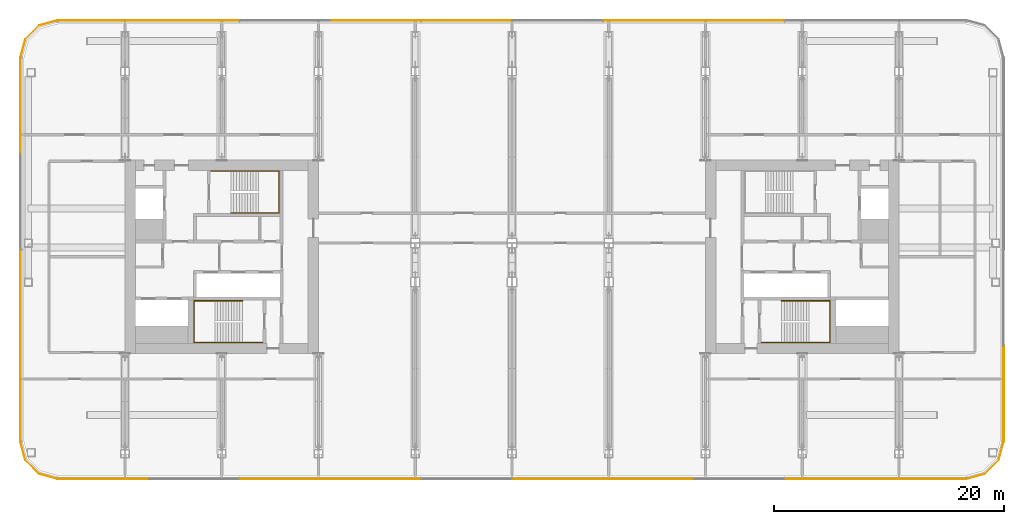
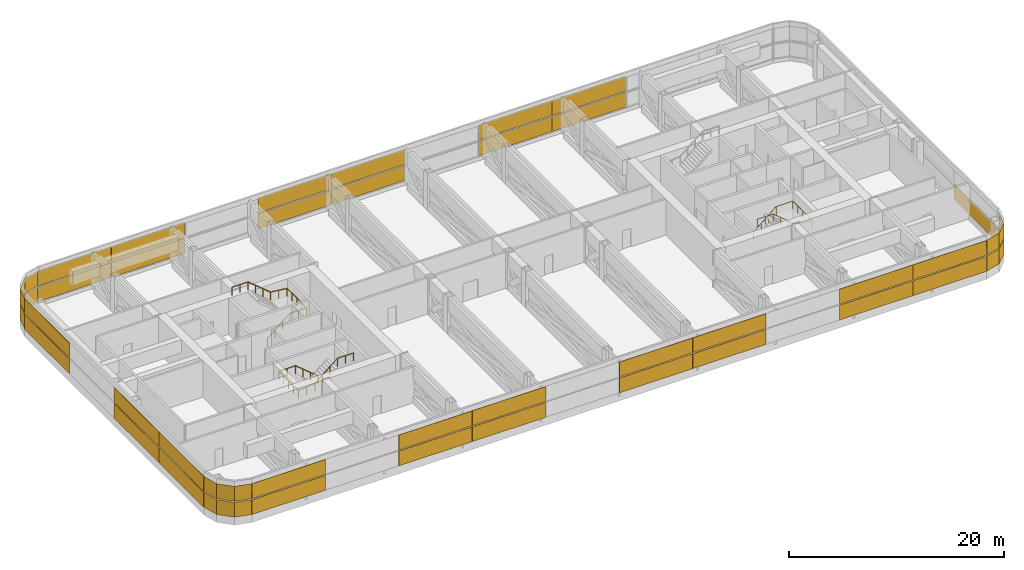
# One storey, part 32 of 33: 39 shading devices, 3 railings, 7 elements without a shape of their own.
"""IFC4 building model written with IfcOpenShell, lengths in metres."""

from ifc_helpers import new_model, si_unit, direction, frame, origin, origin_2d, place, context, subcontext, project, spatial, polyline, rectangle, circle, outline, extrude, material, layer, layer_set, type_object, element, aggregate, save


model = new_model("IFC4")

# Units and contexts
model_context = context("Model", 3, precision=1e-05, world=origin(), true_north=direction((0.0, 1.0)))
body_context = subcontext(model_context, "Body", "Model", "MODEL_VIEW")
ifc_project = project(units=[si_unit("LENGTHUNIT", "METRE"), si_unit("AREAUNIT", "SQUARE_METRE"), si_unit("VOLUMEUNIT", "CUBIC_METRE"), si_unit("PLANEANGLEUNIT", "RADIAN"), si_unit("MASSUNIT", "GRAM", prefix="KILO")], contexts=[model_context])

# Site, building, storey
site_placement = place(None, origin())
site = spatial("IfcSite", under=ifc_project, at=site_placement, CompositionType="ELEMENT")
building_placement = place(site_placement, origin())
building = spatial("IfcBuilding", under=site, at=building_placement, Name="Hakoniwa Tower and Hamabe Station Hall", CompositionType="ELEMENT")
storey_placement = place(building_placement, frame((0.0, 0.0, 175.800048828125)))
storey = spatial("IfcBuildingStorey", under=building, at=storey_placement, Name="L50", CompositionType="ELEMENT", Elevation=175.800048828125)

# Curtain wall, shading device
ifc_material_1 = material(Name="Dark low-e laminated glass", Category="glass")
ifc_layer_1 = layer(ifc_material_1, 0.199951171875)
ifc_layer_set_1 = layer_set([ifc_layer_1], Name="CW-6 PLANT LOUVRE")
curtain_wall_type = type_object("IfcCurtainWallType", Name="CW-6 PLANT LOUVRE", PredefinedType="NOTDEFINED", material=ifc_layer_set_1)
curtain_wall_1_placement = place(storey_placement, origin())
curtain_wall_1 = element("IfcCurtainWall", 1, at=curtain_wall_1_placement, inside=storey, type_object=curtain_wall_type, Name="CW-6 curtain wall", PredefinedType="NOTDEFINED")
ifc_material_2 = material(Name="Aluminium 6063-T5 black anodised louvre", Category="aluminium")
ifc_layer_2 = layer(ifc_material_2, 0.06005859375)
ifc_layer_set_2 = layer_set([ifc_layer_2], Name="CW-6 LOUVRE UNIT")
shading_device_type = type_object("IfcShadingDeviceType", Name="CW-6 LOUVRE UNIT", PredefinedType="JALOUSIE", material=ifc_layer_set_2)
shading_device_1_placement = place(storey_placement, frame((42.68603515625, -11.873291015625, 0.35009765625), z_axis=(0.0, 0.0, 1.0), x_axis=(0.0, 1.0, 0.0)))
shading_device_1 = element("IfcShadingDevice", 2, at=shading_device_1_placement, type_object=shading_device_type, Name="CW-6 louvre unit", PredefinedType="JALOUSIE", context=body_context, shape_type="SweptSolid", body=[
    extrude(rectangle(XDim=8.312255859375, YDim=0.06005859375, at=origin_2d()), origin(), (0.0, 0.0, 1.0), 1.68994140625),
])
aggregate(curtain_wall_1, [shading_device_1])

# Curtain wall, shading devices
curtain_wall_2_placement = place(storey_placement, origin())
curtain_wall_2 = element("IfcCurtainWall", 3, at=curtain_wall_2_placement, inside=storey, type_object=curtain_wall_type, Name="CW-6 curtain wall", PredefinedType="NOTDEFINED")
shading_device_2_placement = place(storey_placement, frame((19.7197265625, 20.535888671875, 0.35009765625), z_axis=(0.0, 0.0, 1.0), x_axis=(-1.0, 0.0, 0.0)))
shading_device_2 = element("IfcShadingDevice", 4, at=shading_device_2_placement, type_object=shading_device_type, Name="CW-6 louvre unit", PredefinedType="JALOUSIE", context=body_context, shape_type="SweptSolid", body=[
    extrude(rectangle(XDim=7.867919921875, YDim=0.06005859375, at=origin_2d()), origin(), (0.0, 0.0, 1.0), 1.68994140625),
])
shading_device_3_placement = place(storey_placement, frame((19.7197265625, 20.535888671875, 2.159912109375), z_axis=(0.0, 0.0, 1.0), x_axis=(-1.0, 0.0, 0.0)))
shading_device_3 = element("IfcShadingDevice", 5, at=shading_device_3_placement, type_object=shading_device_type, Name="CW-6 louvre unit", PredefinedType="JALOUSIE", context=body_context, shape_type="SweptSolid", body=[
    extrude(rectangle(XDim=7.867919921875, YDim=0.06005859375, at=origin_2d()), origin(), (0.0, 0.0, 1.0), 1.68994140625),
])
shading_device_4_placement = place(storey_placement, frame((11.831787109375, 20.535888671875, 0.35009765625), z_axis=(0.0, 0.0, 1.0), x_axis=(-1.0, 0.0, 0.0)))
shading_device_4 = element("IfcShadingDevice", 6, at=shading_device_4_placement, type_object=shading_device_type, Name="CW-6 louvre unit", PredefinedType="JALOUSIE", context=body_context, shape_type="SweptSolid", body=[
    extrude(rectangle(XDim=7.867919921875, YDim=0.06005859375, at=origin_2d()), origin(), (0.0, 0.0, 1.0), 1.68994140625),
])
shading_device_5_placement = place(storey_placement, frame((11.831787109375, 20.535888671875, 2.159912109375), z_axis=(0.0, 0.0, 1.0), x_axis=(-1.0, 0.0, 0.0)))
shading_device_5 = element("IfcShadingDevice", 7, at=shading_device_5_placement, type_object=shading_device_type, Name="CW-6 louvre unit", PredefinedType="JALOUSIE", context=body_context, shape_type="SweptSolid", body=[
    extrude(rectangle(XDim=7.867919921875, YDim=0.06005859375, at=origin_2d()), origin(), (0.0, 0.0, 1.0), 1.68994140625),
])
shading_device_6_placement = place(storey_placement, frame((-3.94384765625, 20.535888671875, 0.35009765625), z_axis=(0.0, 0.0, 1.0), x_axis=(-1.0, 0.0, 0.0)))
shading_device_6 = element("IfcShadingDevice", 8, at=shading_device_6_placement, type_object=shading_device_type, Name="CW-6 louvre unit", PredefinedType="JALOUSIE", context=body_context, shape_type="SweptSolid", body=[
    extrude(rectangle(XDim=7.867919921875, YDim=0.06005859375, at=origin_2d()), origin(), (0.0, 0.0, 1.0), 1.68994140625),
])
shading_device_7_placement = place(storey_placement, frame((-3.94384765625, 20.535888671875, 2.159912109375), z_axis=(0.0, 0.0, 1.0), x_axis=(-1.0, 0.0, 0.0)))
shading_device_7 = element("IfcShadingDevice", 9, at=shading_device_7_placement, type_object=shading_device_type, Name="CW-6 louvre unit", PredefinedType="JALOUSIE", context=body_context, shape_type="SweptSolid", body=[
    extrude(rectangle(XDim=7.867919921875, YDim=0.06005859375, at=origin_2d()), origin(), (0.0, 0.0, 1.0), 1.68994140625),
])
shading_device_8_placement = place(storey_placement, frame((-11.831787109375, 20.535888671875, 0.35009765625), z_axis=(0.0, 0.0, 1.0), x_axis=(-1.0, 0.0, 0.0)))
shading_device_8 = element("IfcShadingDevice", 10, at=shading_device_8_placement, type_object=shading_device_type, Name="CW-6 louvre unit", PredefinedType="JALOUSIE", context=body_context, shape_type="SweptSolid", body=[
    extrude(rectangle(XDim=7.867919921875, YDim=0.06005859375, at=origin_2d()), origin(), (0.0, 0.0, 1.0), 1.68994140625),
])
shading_device_9_placement = place(storey_placement, frame((-11.831787109375, 20.535888671875, 2.159912109375), z_axis=(0.0, 0.0, 1.0), x_axis=(-1.0, 0.0, 0.0)))
shading_device_9 = element("IfcShadingDevice", 11, at=shading_device_9_placement, type_object=shading_device_type, Name="CW-6 louvre unit", PredefinedType="JALOUSIE", context=body_context, shape_type="SweptSolid", body=[
    extrude(rectangle(XDim=7.867919921875, YDim=0.06005859375, at=origin_2d()), origin(), (0.0, 0.0, 1.0), 1.68994140625),
])
shading_device_10_placement = place(storey_placement, frame((-27.607666015625, 20.535888671875, 0.35009765625), z_axis=(0.0, 0.0, 1.0), x_axis=(-1.0, 0.0, 0.0)))
shading_device_10 = element("IfcShadingDevice", 12, at=shading_device_10_placement, type_object=shading_device_type, Name="CW-6 louvre unit", PredefinedType="JALOUSIE", context=body_context, shape_type="SweptSolid", body=[
    extrude(rectangle(XDim=7.867919921875, YDim=0.06005859375, at=origin_2d()), origin(), (0.0, 0.0, 1.0), 1.68994140625),
])
shading_device_11_placement = place(storey_placement, frame((-27.607666015625, 20.535888671875, 2.159912109375), z_axis=(0.0, 0.0, 1.0), x_axis=(-1.0, 0.0, 0.0)))
shading_device_11 = element("IfcShadingDevice", 13, at=shading_device_11_placement, type_object=shading_device_type, Name="CW-6 louvre unit", PredefinedType="JALOUSIE", context=body_context, shape_type="SweptSolid", body=[
    extrude(rectangle(XDim=7.867919921875, YDim=0.06005859375, at=origin_2d()), origin(), (0.0, 0.0, 1.0), 1.68994140625),
])
shading_device_12_placement = place(storey_placement, frame((-35.49560546875, 20.535888671875, 0.35009765625), z_axis=(0.0, 0.0, 1.0), x_axis=(-1.0, 0.0, 0.0)))
shading_device_12 = element("IfcShadingDevice", 14, at=shading_device_12_placement, type_object=shading_device_type, Name="CW-6 louvre unit", PredefinedType="JALOUSIE", context=body_context, shape_type="SweptSolid", body=[
    extrude(rectangle(XDim=7.867919921875, YDim=0.06005859375, at=origin_2d()), origin(), (0.0, 0.0, 1.0), 1.68994140625),
])
shading_device_13_placement = place(storey_placement, frame((-35.49560546875, 20.535888671875, 2.159912109375), z_axis=(0.0, 0.0, 1.0), x_axis=(-1.0, 0.0, 0.0)))
shading_device_13 = element("IfcShadingDevice", 15, at=shading_device_13_placement, type_object=shading_device_type, Name="CW-6 louvre unit", PredefinedType="JALOUSIE", context=body_context, shape_type="SweptSolid", body=[
    extrude(rectangle(XDim=7.867919921875, YDim=0.06005859375, at=origin_2d()), origin(), (0.0, 0.0, 1.0), 1.68994140625),
])
aggregate(curtain_wall_2, [shading_device_2, shading_device_3, shading_device_4, shading_device_5, shading_device_6, shading_device_7, shading_device_8, shading_device_9, shading_device_10, shading_device_11, shading_device_12, shading_device_13])

curtain_wall_3_placement = place(storey_placement, origin())
curtain_wall_3 = element("IfcCurtainWall", 16, at=curtain_wall_3_placement, inside=storey, type_object=curtain_wall_type, Name="CW-6 curtain wall", PredefinedType="NOTDEFINED")
shading_device_14_placement = place(storey_placement, frame((0.0, 0.0, 0.349853515625)))
shading_device_14 = element("IfcShadingDevice", 17, at=shading_device_14_placement, type_object=shading_device_type, Name="CW-6 curved corner unit", PredefinedType="JALOUSIE", context=body_context, shape_type="SweptSolid", body=[
    extrude(outline(polyline([(-39.47802734375, 20.53955078125), (-41.05517578125, 20.116943359375), (-42.26708984375, 18.9052734375), (-42.689697265625, 17.328125), (-42.66259765625, 17.32080078125), (-42.241943359375, 18.890869140625), (-41.040771484375, 20.092041015625), (-39.470947265625, 20.5126953125), (-39.47802734375, 20.53955078125)])), origin(), (0.0, 0.0, 1.0), 1.690185546875),
])
shading_device_15_placement = place(storey_placement, frame((0.0, 0.0, 2.159912109375)))
shading_device_15 = element("IfcShadingDevice", 18, at=shading_device_15_placement, type_object=shading_device_type, Name="CW-6 curved corner unit", PredefinedType="JALOUSIE", context=body_context, shape_type="SweptSolid", body=[
    extrude(outline(polyline([(-39.47802734375, 20.53955078125), (-41.05517578125, 20.116943359375), (-42.26708984375, 18.9052734375), (-42.689697265625, 17.328125), (-42.66259765625, 17.32080078125), (-42.241943359375, 18.890869140625), (-41.040771484375, 20.092041015625), (-39.470947265625, 20.5126953125), (-39.47802734375, 20.53955078125)])), origin(), (0.0, 0.0, 1.0), 1.68994140625),
])
aggregate(curtain_wall_3, [shading_device_14, shading_device_15])

curtain_wall_4_placement = place(storey_placement, origin())
curtain_wall_4 = element("IfcCurtainWall", 19, at=curtain_wall_4_placement, inside=storey, type_object=curtain_wall_type, Name="CW-6 curtain wall", PredefinedType="NOTDEFINED")
shading_device_16_placement = place(storey_placement, frame((-42.68603515625, 13.123291015625, 0.35009765625), z_axis=(0.0, 0.0, 1.0), x_axis=(0.0, -1.0, 0.0)))
shading_device_16 = element("IfcShadingDevice", 20, at=shading_device_16_placement, type_object=shading_device_type, Name="CW-6 louvre unit", PredefinedType="JALOUSIE", context=body_context, shape_type="SweptSolid", body=[
    extrude(rectangle(XDim=8.312255859375, YDim=0.06005859375, at=origin_2d()), origin(), (0.0, 0.0, 1.0), 1.68994140625),
])
shading_device_17_placement = place(storey_placement, frame((-42.68603515625, 13.123291015625, 2.159912109375), z_axis=(0.0, 0.0, 1.0), x_axis=(0.0, -1.0, 0.0)))
shading_device_17 = element("IfcShadingDevice", 21, at=shading_device_17_placement, type_object=shading_device_type, Name="CW-6 louvre unit", PredefinedType="JALOUSIE", context=body_context, shape_type="SweptSolid", body=[
    extrude(rectangle(XDim=8.312255859375, YDim=0.06005859375, at=origin_2d()), origin(), (0.0, 0.0, 1.0), 1.68994140625),
])
shading_device_18_placement = place(storey_placement, frame((-42.68603515625, -3.541015625, 0.35009765625), z_axis=(0.0, 0.0, 1.0), x_axis=(0.0, -1.0, 0.0)))
shading_device_18 = element("IfcShadingDevice", 22, at=shading_device_18_placement, type_object=shading_device_type, Name="CW-6 louvre unit", PredefinedType="JALOUSIE", context=body_context, shape_type="SweptSolid", body=[
    extrude(rectangle(XDim=8.312255859375, YDim=0.06005859375, at=origin_2d()), origin(), (0.0, 0.0, 1.0), 1.68994140625),
])
shading_device_19_placement = place(storey_placement, frame((-42.68603515625, -3.541015625, 2.159912109375), z_axis=(0.0, 0.0, 1.0), x_axis=(0.0, -1.0, 0.0)))
shading_device_19 = element("IfcShadingDevice", 23, at=shading_device_19_placement, type_object=shading_device_type, Name="CW-6 louvre unit", PredefinedType="JALOUSIE", context=body_context, shape_type="SweptSolid", body=[
    extrude(rectangle(XDim=8.312255859375, YDim=0.06005859375, at=origin_2d()), origin(), (0.0, 0.0, 1.0), 1.68994140625),
])
shading_device_20_placement = place(storey_placement, frame((-42.68603515625, -11.873291015625, 0.35009765625), z_axis=(0.0, 0.0, 1.0), x_axis=(0.0, -1.0, 0.0)))
shading_device_20 = element("IfcShadingDevice", 24, at=shading_device_20_placement, type_object=shading_device_type, Name="CW-6 louvre unit", PredefinedType="JALOUSIE", context=body_context, shape_type="SweptSolid", body=[
    extrude(rectangle(XDim=8.312255859375, YDim=0.06005859375, at=origin_2d()), origin(), (0.0, 0.0, 1.0), 1.68994140625),
])
shading_device_21_placement = place(storey_placement, frame((-42.68603515625, -11.873291015625, 2.159912109375), z_axis=(0.0, 0.0, 1.0), x_axis=(0.0, -1.0, 0.0)))
shading_device_21 = element("IfcShadingDevice", 25, at=shading_device_21_placement, type_object=shading_device_type, Name="CW-6 louvre unit", PredefinedType="JALOUSIE", context=body_context, shape_type="SweptSolid", body=[
    extrude(rectangle(XDim=8.312255859375, YDim=0.06005859375, at=origin_2d()), origin(), (0.0, 0.0, 1.0), 1.68994140625),
])
aggregate(curtain_wall_4, [shading_device_16, shading_device_17, shading_device_18, shading_device_19, shading_device_20, shading_device_21])

curtain_wall_5_placement = place(storey_placement, origin())
curtain_wall_5 = element("IfcCurtainWall", 26, at=curtain_wall_5_placement, inside=storey, type_object=curtain_wall_type, Name="CW-6 curtain wall", PredefinedType="NOTDEFINED")
shading_device_22_placement = place(storey_placement, frame((0.0, 0.0, 0.349853515625)))
shading_device_22 = element("IfcShadingDevice", 27, at=shading_device_22_placement, type_object=shading_device_type, Name="CW-6 curved corner unit", PredefinedType="JALOUSIE", context=body_context, shape_type="SweptSolid", body=[
    extrude(outline(polyline([(-42.689697265625, -16.078125), (-42.26708984375, -17.6552734375), (-41.05517578125, -18.866943359375), (-39.47802734375, -19.28955078125), (-39.470947265625, -19.2626953125), (-41.040771484375, -18.842041015625), (-42.241943359375, -17.640869140625), (-42.66259765625, -16.07080078125), (-42.689697265625, -16.078125)])), origin(), (0.0, 0.0, 1.0), 1.690185546875),
])
shading_device_23_placement = place(storey_placement, frame((0.0, 0.0, 2.159912109375)))
shading_device_23 = element("IfcShadingDevice", 28, at=shading_device_23_placement, type_object=shading_device_type, Name="CW-6 curved corner unit", PredefinedType="JALOUSIE", context=body_context, shape_type="SweptSolid", body=[
    extrude(outline(polyline([(-42.689697265625, -16.078125), (-42.26708984375, -17.6552734375), (-41.05517578125, -18.866943359375), (-39.47802734375, -19.28955078125), (-39.470947265625, -19.2626953125), (-41.040771484375, -18.842041015625), (-42.241943359375, -17.640869140625), (-42.66259765625, -16.07080078125), (-42.689697265625, -16.078125)])), origin(), (0.0, 0.0, 1.0), 1.68994140625),
])
aggregate(curtain_wall_5, [shading_device_22, shading_device_23])

curtain_wall_6_placement = place(storey_placement, origin())
curtain_wall_6 = element("IfcCurtainWall", 29, at=curtain_wall_6_placement, inside=storey, type_object=curtain_wall_type, Name="CW-6 curtain wall", PredefinedType="NOTDEFINED")
shading_device_24_placement = place(storey_placement, frame((-35.49560546875, -19.285888671875, 0.35009765625), z_axis=(0.0, 0.0, 1.0), x_axis=(1.0, 0.0, 0.0)))
shading_device_24 = element("IfcShadingDevice", 30, at=shading_device_24_placement, type_object=shading_device_type, Name="CW-6 louvre unit", PredefinedType="JALOUSIE", context=body_context, shape_type="SweptSolid", body=[
    extrude(rectangle(XDim=7.867919921875, YDim=0.06005859375, at=origin_2d()), origin(), (0.0, 0.0, 1.0), 1.68994140625),
])
shading_device_25_placement = place(storey_placement, frame((-35.49560546875, -19.285888671875, 2.159912109375), z_axis=(0.0, 0.0, 1.0), x_axis=(1.0, 0.0, 0.0)))
shading_device_25 = element("IfcShadingDevice", 31, at=shading_device_25_placement, type_object=shading_device_type, Name="CW-6 louvre unit", PredefinedType="JALOUSIE", context=body_context, shape_type="SweptSolid", body=[
    extrude(rectangle(XDim=7.867919921875, YDim=0.06005859375, at=origin_2d()), origin(), (0.0, 0.0, 1.0), 1.68994140625),
])
shading_device_26_placement = place(storey_placement, frame((-19.7197265625, -19.285888671875, 0.35009765625), z_axis=(0.0, 0.0, 1.0), x_axis=(1.0, 0.0, 0.0)))
shading_device_26 = element("IfcShadingDevice", 32, at=shading_device_26_placement, type_object=shading_device_type, Name="CW-6 louvre unit", PredefinedType="JALOUSIE", context=body_context, shape_type="SweptSolid", body=[
    extrude(rectangle(XDim=7.867919921875, YDim=0.06005859375, at=origin_2d()), origin(), (0.0, 0.0, 1.0), 1.68994140625),
])
shading_device_27_placement = place(storey_placement, frame((-19.7197265625, -19.285888671875, 2.159912109375), z_axis=(0.0, 0.0, 1.0), x_axis=(1.0, 0.0, 0.0)))
shading_device_27 = element("IfcShadingDevice", 33, at=shading_device_27_placement, type_object=shading_device_type, Name="CW-6 louvre unit", PredefinedType="JALOUSIE", context=body_context, shape_type="SweptSolid", body=[
    extrude(rectangle(XDim=7.867919921875, YDim=0.06005859375, at=origin_2d()), origin(), (0.0, 0.0, 1.0), 1.68994140625),
])
shading_device_28_placement = place(storey_placement, frame((-11.831787109375, -19.285888671875, 0.35009765625), z_axis=(0.0, 0.0, 1.0), x_axis=(1.0, 0.0, 0.0)))
shading_device_28 = element("IfcShadingDevice", 34, at=shading_device_28_placement, type_object=shading_device_type, Name="CW-6 louvre unit", PredefinedType="JALOUSIE", context=body_context, shape_type="SweptSolid", body=[
    extrude(rectangle(XDim=7.867919921875, YDim=0.06005859375, at=origin_2d()), origin(), (0.0, 0.0, 1.0), 1.68994140625),
])
shading_device_29_placement = place(storey_placement, frame((-11.831787109375, -19.285888671875, 2.159912109375), z_axis=(0.0, 0.0, 1.0), x_axis=(1.0, 0.0, 0.0)))
shading_device_29 = element("IfcShadingDevice", 35, at=shading_device_29_placement, type_object=shading_device_type, Name="CW-6 louvre unit", PredefinedType="JALOUSIE", context=body_context, shape_type="SweptSolid", body=[
    extrude(rectangle(XDim=7.867919921875, YDim=0.06005859375, at=origin_2d()), origin(), (0.0, 0.0, 1.0), 1.68994140625),
])
shading_device_30_placement = place(storey_placement, frame((3.94384765625, -19.285888671875, 0.35009765625), z_axis=(0.0, 0.0, 1.0), x_axis=(1.0, 0.0, 0.0)))
shading_device_30 = element("IfcShadingDevice", 36, at=shading_device_30_placement, type_object=shading_device_type, Name="CW-6 louvre unit", PredefinedType="JALOUSIE", context=body_context, shape_type="SweptSolid", body=[
    extrude(rectangle(XDim=7.867919921875, YDim=0.06005859375, at=origin_2d()), origin(), (0.0, 0.0, 1.0), 1.68994140625),
])
shading_device_31_placement = place(storey_placement, frame((3.94384765625, -19.285888671875, 2.159912109375), z_axis=(0.0, 0.0, 1.0), x_axis=(1.0, 0.0, 0.0)))
shading_device_31 = element("IfcShadingDevice", 37, at=shading_device_31_placement, type_object=shading_device_type, Name="CW-6 louvre unit", PredefinedType="JALOUSIE", context=body_context, shape_type="SweptSolid", body=[
    extrude(rectangle(XDim=7.867919921875, YDim=0.06005859375, at=origin_2d()), origin(), (0.0, 0.0, 1.0), 1.68994140625),
])
shading_device_32_placement = place(storey_placement, frame((11.831787109375, -19.285888671875, 0.35009765625), z_axis=(0.0, 0.0, 1.0), x_axis=(1.0, 0.0, 0.0)))
shading_device_32 = element("IfcShadingDevice", 38, at=shading_device_32_placement, type_object=shading_device_type, Name="CW-6 louvre unit", PredefinedType="JALOUSIE", context=body_context, shape_type="SweptSolid", body=[
    extrude(rectangle(XDim=7.867919921875, YDim=0.06005859375, at=origin_2d()), origin(), (0.0, 0.0, 1.0), 1.68994140625),
])
shading_device_33_placement = place(storey_placement, frame((11.831787109375, -19.285888671875, 2.159912109375), z_axis=(0.0, 0.0, 1.0), x_axis=(1.0, 0.0, 0.0)))
shading_device_33 = element("IfcShadingDevice", 39, at=shading_device_33_placement, type_object=shading_device_type, Name="CW-6 louvre unit", PredefinedType="JALOUSIE", context=body_context, shape_type="SweptSolid", body=[
    extrude(rectangle(XDim=7.867919921875, YDim=0.06005859375, at=origin_2d()), origin(), (0.0, 0.0, 1.0), 1.68994140625),
])
shading_device_34_placement = place(storey_placement, frame((27.607666015625, -19.285888671875, 0.35009765625), z_axis=(0.0, 0.0, 1.0), x_axis=(1.0, 0.0, 0.0)))
shading_device_34 = element("IfcShadingDevice", 40, at=shading_device_34_placement, type_object=shading_device_type, Name="CW-6 louvre unit", PredefinedType="JALOUSIE", context=body_context, shape_type="SweptSolid", body=[
    extrude(rectangle(XDim=7.867919921875, YDim=0.06005859375, at=origin_2d()), origin(), (0.0, 0.0, 1.0), 1.68994140625),
])
shading_device_35_placement = place(storey_placement, frame((27.607666015625, -19.285888671875, 2.159912109375), z_axis=(0.0, 0.0, 1.0), x_axis=(1.0, 0.0, 0.0)))
shading_device_35 = element("IfcShadingDevice", 41, at=shading_device_35_placement, type_object=shading_device_type, Name="CW-6 louvre unit", PredefinedType="JALOUSIE", context=body_context, shape_type="SweptSolid", body=[
    extrude(rectangle(XDim=7.867919921875, YDim=0.06005859375, at=origin_2d()), origin(), (0.0, 0.0, 1.0), 1.68994140625),
])
shading_device_36_placement = place(storey_placement, frame((35.49560546875, -19.285888671875, 0.35009765625), z_axis=(0.0, 0.0, 1.0), x_axis=(1.0, 0.0, 0.0)))
shading_device_36 = element("IfcShadingDevice", 42, at=shading_device_36_placement, type_object=shading_device_type, Name="CW-6 louvre unit", PredefinedType="JALOUSIE", context=body_context, shape_type="SweptSolid", body=[
    extrude(rectangle(XDim=7.867919921875, YDim=0.06005859375, at=origin_2d()), origin(), (0.0, 0.0, 1.0), 1.68994140625),
])
shading_device_37_placement = place(storey_placement, frame((35.49560546875, -19.285888671875, 2.159912109375), z_axis=(0.0, 0.0, 1.0), x_axis=(1.0, 0.0, 0.0)))
shading_device_37 = element("IfcShadingDevice", 43, at=shading_device_37_placement, type_object=shading_device_type, Name="CW-6 louvre unit", PredefinedType="JALOUSIE", context=body_context, shape_type="SweptSolid", body=[
    extrude(rectangle(XDim=7.867919921875, YDim=0.06005859375, at=origin_2d()), origin(), (0.0, 0.0, 1.0), 1.68994140625),
])
aggregate(curtain_wall_6, [shading_device_24, shading_device_25, shading_device_26, shading_device_27, shading_device_28, shading_device_29, shading_device_30, shading_device_31, shading_device_32, shading_device_33, shading_device_34, shading_device_35, shading_device_36, shading_device_37])

curtain_wall_7_placement = place(storey_placement, origin())
curtain_wall_7 = element("IfcCurtainWall", 44, at=curtain_wall_7_placement, inside=storey, type_object=curtain_wall_type, Name="CW-6 curtain wall", PredefinedType="NOTDEFINED")
shading_device_38_placement = place(storey_placement, frame((0.0, 0.0, 0.349853515625)))
shading_device_38 = element("IfcShadingDevice", 45, at=shading_device_38_placement, type_object=shading_device_type, Name="CW-6 curved corner unit", PredefinedType="JALOUSIE", context=body_context, shape_type="SweptSolid", body=[
    extrude(outline(polyline([(39.47802734375, -19.28955078125), (41.05517578125, -18.866943359375), (42.26708984375, -17.6552734375), (42.689697265625, -16.078125), (42.66259765625, -16.07080078125), (42.241943359375, -17.640869140625), (41.040771484375, -18.842041015625), (39.470947265625, -19.2626953125), (39.47802734375, -19.28955078125)])), origin(), (0.0, 0.0, 1.0), 1.690185546875),
])
shading_device_39_placement = place(storey_placement, frame((0.0, 0.0, 2.159912109375)))
shading_device_39 = element("IfcShadingDevice", 46, at=shading_device_39_placement, type_object=shading_device_type, Name="CW-6 curved corner unit", PredefinedType="JALOUSIE", context=body_context, shape_type="SweptSolid", body=[
    extrude(outline(polyline([(39.47802734375, -19.28955078125), (41.05517578125, -18.866943359375), (42.26708984375, -17.6552734375), (42.689697265625, -16.078125), (42.66259765625, -16.07080078125), (42.241943359375, -17.640869140625), (41.040771484375, -18.842041015625), (39.470947265625, -19.2626953125), (39.47802734375, -19.28955078125)])), origin(), (0.0, 0.0, 1.0), 1.68994140625),
])
aggregate(curtain_wall_7, [shading_device_38, shading_device_39])

# Railings
ifc_material_3 = material(Name="Stainless steel SUS304", Category="steel")
railing_type = type_object("IfcRailingType", Name="STAIR HANDRAIL 900", PredefinedType="HANDRAIL", material=ifc_material_3)
railing_1_placement = place(storey_placement, frame((-24.39990234375, 3.81005859375, 0.199951171875)))
element("IfcRailing", 47, at=railing_1_placement, inside=storey, type_object=railing_type, Name="Handrail ST-1 L50 1", PredefinedType="HANDRAIL", context=body_context, shape_type="SweptSolid", body=[
    extrude(circle(Radius=0.02392578125, at=origin_2d()), frame((0.0, 0.0, 0.8759765625), z_axis=(0.768208468069, 0.0, 0.640199773186), x_axis=(0.0, 1.0, 0.0)), (0.0, 0.0, 1.0), 3.1240234375),
    extrude(circle(Radius=0.02392578125, at=origin_2d()), frame((2.39990234375, 0.0, 2.8759765625), z_axis=(1.0, 0.0, 0.0), x_axis=(0.0, 1.0, 0.0)), (0.0, 0.0, 1.0), 1.7900390625),
    extrude(circle(Radius=0.02392578125, at=origin_2d()), frame((4.18994140625, 0.0, 2.8759765625), z_axis=(0.0, 1.0, 0.0), x_axis=(-1.0, 0.0, 0.0)), (0.0, 0.0, 1.0), 3.6298828125),
    extrude(circle(Radius=0.02392578125, at=origin_2d()), frame((4.18994140625, 3.6298828125, 2.8759765625), z_axis=(-0.993819098592, 0.0, 0.111011707821), x_axis=(0.0, -1.0, 0.0)), (0.0, 0.0, 1.0), 1.80126953125),
    extrude(circle(Radius=0.02392578125, at=origin_2d()), frame((2.39990234375, 3.6298828125, 3.07568359375), z_axis=(-0.768208468069, 0.0, 0.640199773186), x_axis=(0.0, -1.0, 0.0)), (0.0, 0.0, 1.0), 3.1240234375),
    extrude(circle(Radius=0.02392578125, at=origin_2d()), frame((0.0, 3.6298828125, 5.07568359375), z_axis=(-1.0, 0.0, 0.0), x_axis=(0.0, -1.0, 0.0)), (0.0, 0.0, 1.0), 1.739990234375),
    extrude(circle(Radius=0.02099609375, at=origin_2d()), origin(), (0.0, 0.0, 1.0), 0.851806640625),
    extrude(circle(Radius=0.02099609375, at=origin_2d()), frame((0.800048828125, 0.0, 0.666748046875)), (0.0, 0.0, 1.0), 0.851806640625),
    extrude(circle(Radius=0.02099609375, at=origin_2d()), frame((1.599853515625, 0.0, 1.333251953125)), (0.0, 0.0, 1.0), 0.851806640625),
    extrude(circle(Radius=0.02099609375, at=origin_2d()), frame((2.39990234375, 0.0, 2.0)), (0.0, 0.0, 1.0), 0.851806640625),
    extrude(circle(Radius=0.02099609375, at=origin_2d()), frame((3.294921875, 0.0, 2.0)), (0.0, 0.0, 1.0), 0.851806640625),
    extrude(circle(Radius=0.02099609375, at=origin_2d()), frame((4.18994140625, 0.0, 2.0)), (0.0, 0.0, 1.0), 0.851806640625),
    extrude(circle(Radius=0.02099609375, at=origin_2d()), frame((4.18994140625, 0.907470703125, 2.0)), (0.0, 0.0, 1.0), 0.851806640625),
    extrude(circle(Radius=0.02099609375, at=origin_2d()), frame((4.18994140625, 1.81494140625, 2.0)), (0.0, 0.0, 1.0), 0.851806640625),
    extrude(circle(Radius=0.02099609375, at=origin_2d()), frame((4.18994140625, 2.722412109375, 2.0)), (0.0, 0.0, 1.0), 0.851806640625),
    extrude(circle(Radius=0.02099609375, at=origin_2d()), frame((4.18994140625, 3.6298828125, 2.0)), (0.0, 0.0, 1.0), 0.851806640625),
    extrude(circle(Radius=0.02099609375, at=origin_2d()), frame((3.294921875, 3.6298828125, 2.10009765625)), (0.0, 0.0, 1.0), 0.851806640625),
    extrude(circle(Radius=0.02099609375, at=origin_2d()), frame((2.39990234375, 3.6298828125, 2.199951171875)), (0.0, 0.0, 1.0), 0.851806640625),
    extrude(circle(Radius=0.02099609375, at=origin_2d()), frame((1.599853515625, 3.6298828125, 2.86669921875)), (0.0, 0.0, 1.0), 0.851806640625),
    extrude(circle(Radius=0.02099609375, at=origin_2d()), frame((0.800048828125, 3.6298828125, 3.533203125)), (0.0, 0.0, 1.0), 0.851806640625),
    extrude(circle(Radius=0.02099609375, at=origin_2d()), frame((0.0, 3.6298828125, 4.199951171875)), (0.0, 0.0, 1.0), 0.851806640625),
    extrude(circle(Radius=0.02099609375, at=origin_2d()), frame((-0.8701171875, 3.6298828125, 4.199951171875)), (0.0, 0.0, 1.0), 0.851806640625),
    extrude(circle(Radius=0.02099609375, at=origin_2d()), frame((-1.739990234375, 3.6298828125, 4.199951171875)), (0.0, 0.0, 1.0), 0.851806640625),
])
railing_2_placement = place(storey_placement, frame((-23.39990234375, -3.81005859375, 0.199951171875)))
element("IfcRailing", 48, at=railing_2_placement, inside=storey, type_object=railing_type, Name="Handrail ST-2 L50 1", PredefinedType="HANDRAIL", context=body_context, shape_type="SweptSolid", body=[
    extrude(circle(Radius=0.02392578125, at=origin_2d()), frame((0.0, 0.0, 0.8759765625), z_axis=(-0.76824049516, 0.0, 0.640161340286), x_axis=(0.0, -1.0, 0.0)), (0.0, 0.0, 1.0), 3.124267578125),
    extrude(circle(Radius=0.02392578125, at=origin_2d()), frame((-2.400146484375, 0.0, 2.8759765625), z_axis=(-1.0, 0.0, 0.0), x_axis=(0.0, -1.0, 0.0)), (0.0, 0.0, 1.0), 1.7900390625),
    extrude(circle(Radius=0.02392578125, at=origin_2d()), frame((-4.190185546875, 0.0, 2.8759765625), z_axis=(0.0, -1.0, 0.0), x_axis=(1.0, 0.0, 0.0)), (0.0, 0.0, 1.0), 3.6298828125),
    extrude(circle(Radius=0.02392578125, at=origin_2d()), frame((-4.190185546875, -3.6298828125, 2.8759765625), z_axis=(0.993819098592, 0.0, 0.111011707821), x_axis=(0.0, 1.0, 0.0)), (0.0, 0.0, 1.0), 1.80126953125),
    extrude(circle(Radius=0.02392578125, at=origin_2d()), frame((-2.400146484375, -3.6298828125, 3.07568359375), z_axis=(0.76824049516, 0.0, 0.640161340286), x_axis=(0.0, 1.0, 0.0)), (0.0, 0.0, 1.0), 3.124267578125),
    extrude(circle(Radius=0.02392578125, at=origin_2d()), frame((0.0, -3.6298828125, 5.07568359375), z_axis=(1.0, 0.0, 0.0), x_axis=(0.0, 1.0, 0.0)), (0.0, 0.0, 1.0), 1.739990234375),
    extrude(circle(Radius=0.02099609375, at=origin_2d()), origin(), (0.0, 0.0, 1.0), 0.851806640625),
    extrude(circle(Radius=0.02099609375, at=origin_2d()), frame((-0.800048828125, 0.0, 0.666748046875)), (0.0, 0.0, 1.0), 0.851806640625),
    extrude(circle(Radius=0.02099609375, at=origin_2d()), frame((-1.60009765625, 0.0, 1.333251953125)), (0.0, 0.0, 1.0), 0.851806640625),
    extrude(circle(Radius=0.02099609375, at=origin_2d()), frame((-2.400146484375, 0.0, 2.0)), (0.0, 0.0, 1.0), 0.851806640625),
    extrude(circle(Radius=0.02099609375, at=origin_2d()), frame((-3.295166015625, 0.0, 2.0)), (0.0, 0.0, 1.0), 0.851806640625),
    extrude(circle(Radius=0.02099609375, at=origin_2d()), frame((-4.190185546875, 0.0, 2.0)), (0.0, 0.0, 1.0), 0.851806640625),
    extrude(circle(Radius=0.02099609375, at=origin_2d()), frame((-4.190185546875, -0.907470703125, 2.0)), (0.0, 0.0, 1.0), 0.851806640625),
    extrude(circle(Radius=0.02099609375, at=origin_2d()), frame((-4.190185546875, -1.81494140625, 2.0)), (0.0, 0.0, 1.0), 0.851806640625),
    extrude(circle(Radius=0.02099609375, at=origin_2d()), frame((-4.190185546875, -2.722412109375, 2.0)), (0.0, 0.0, 1.0), 0.851806640625),
    extrude(circle(Radius=0.02099609375, at=origin_2d()), frame((-4.190185546875, -3.6298828125, 2.0)), (0.0, 0.0, 1.0), 0.851806640625),
    extrude(circle(Radius=0.02099609375, at=origin_2d()), frame((-3.295166015625, -3.6298828125, 2.10009765625)), (0.0, 0.0, 1.0), 0.851806640625),
    extrude(circle(Radius=0.02099609375, at=origin_2d()), frame((-2.400146484375, -3.6298828125, 2.199951171875)), (0.0, 0.0, 1.0), 0.851806640625),
    extrude(circle(Radius=0.02099609375, at=origin_2d()), frame((-1.60009765625, -3.6298828125, 2.86669921875)), (0.0, 0.0, 1.0), 0.851806640625),
    extrude(circle(Radius=0.02099609375, at=origin_2d()), frame((-0.800048828125, -3.6298828125, 3.533203125)), (0.0, 0.0, 1.0), 0.851806640625),
    extrude(circle(Radius=0.02099609375, at=origin_2d()), frame((0.0, -3.6298828125, 4.199951171875)), (0.0, 0.0, 1.0), 0.851806640625),
    extrude(circle(Radius=0.02099609375, at=origin_2d()), frame((0.8701171875, -3.6298828125, 4.199951171875)), (0.0, 0.0, 1.0), 0.851806640625),
    extrude(circle(Radius=0.02099609375, at=origin_2d()), frame((1.739990234375, -3.6298828125, 4.199951171875)), (0.0, 0.0, 1.0), 0.851806640625),
])
railing_3_placement = place(storey_placement, frame((23.39990234375, -3.81005859375, 0.199951171875)))
element("IfcRailing", 49, at=railing_3_placement, inside=storey, type_object=railing_type, Name="Handrail ST-4 L50 1", PredefinedType="HANDRAIL", context=body_context, shape_type="SweptSolid", body=[
    extrude(circle(Radius=0.02392578125, at=origin_2d()), frame((0.0, 0.0, 0.8759765625), z_axis=(0.76824049516, 0.0, 0.640161340286), x_axis=(0.0, 1.0, 0.0)), (0.0, 0.0, 1.0), 3.124267578125),
    extrude(circle(Radius=0.02392578125, at=origin_2d()), frame((2.400146484375, 0.0, 2.8759765625), z_axis=(1.0, 0.0, 0.0), x_axis=(0.0, 1.0, 0.0)), (0.0, 0.0, 1.0), 1.7900390625),
    extrude(circle(Radius=0.02392578125, at=origin_2d()), frame((4.190185546875, 0.0, 2.8759765625), z_axis=(0.0, -1.0, 0.0), x_axis=(1.0, 0.0, 0.0)), (0.0, 0.0, 1.0), 3.6298828125),
    extrude(circle(Radius=0.02392578125, at=origin_2d()), frame((4.190185546875, -3.6298828125, 2.8759765625), z_axis=(-0.993819098592, 0.0, 0.111011707821), x_axis=(0.0, -1.0, 0.0)), (0.0, 0.0, 1.0), 1.80126953125),
    extrude(circle(Radius=0.02392578125, at=origin_2d()), frame((2.400146484375, -3.6298828125, 3.07568359375), z_axis=(-0.76824049516, 0.0, 0.640161340286), x_axis=(0.0, -1.0, 0.0)), (0.0, 0.0, 1.0), 3.124267578125),
    extrude(circle(Radius=0.02392578125, at=origin_2d()), frame((0.0, -3.6298828125, 5.07568359375), z_axis=(-1.0, 0.0, 0.0), x_axis=(0.0, -1.0, 0.0)), (0.0, 0.0, 1.0), 1.739990234375),
    extrude(circle(Radius=0.02099609375, at=origin_2d()), origin(), (0.0, 0.0, 1.0), 0.851806640625),
    extrude(circle(Radius=0.02099609375, at=origin_2d()), frame((0.800048828125, 0.0, 0.666748046875)), (0.0, 0.0, 1.0), 0.851806640625),
    extrude(circle(Radius=0.02099609375, at=origin_2d()), frame((1.60009765625, 0.0, 1.333251953125)), (0.0, 0.0, 1.0), 0.851806640625),
    extrude(circle(Radius=0.02099609375, at=origin_2d()), frame((2.400146484375, 0.0, 2.0)), (0.0, 0.0, 1.0), 0.851806640625),
    extrude(circle(Radius=0.02099609375, at=origin_2d()), frame((3.295166015625, 0.0, 2.0)), (0.0, 0.0, 1.0), 0.851806640625),
    extrude(circle(Radius=0.02099609375, at=origin_2d()), frame((4.190185546875, 0.0, 2.0)), (0.0, 0.0, 1.0), 0.851806640625),
    extrude(circle(Radius=0.02099609375, at=origin_2d()), frame((4.190185546875, -0.907470703125, 2.0)), (0.0, 0.0, 1.0), 0.851806640625),
    extrude(circle(Radius=0.02099609375, at=origin_2d()), frame((4.190185546875, -1.81494140625, 2.0)), (0.0, 0.0, 1.0), 0.851806640625),
    extrude(circle(Radius=0.02099609375, at=origin_2d()), frame((4.190185546875, -2.722412109375, 2.0)), (0.0, 0.0, 1.0), 0.851806640625),
    extrude(circle(Radius=0.02099609375, at=origin_2d()), frame((4.190185546875, -3.6298828125, 2.0)), (0.0, 0.0, 1.0), 0.851806640625),
    extrude(circle(Radius=0.02099609375, at=origin_2d()), frame((3.295166015625, -3.6298828125, 2.10009765625)), (0.0, 0.0, 1.0), 0.851806640625),
    extrude(circle(Radius=0.02099609375, at=origin_2d()), frame((2.400146484375, -3.6298828125, 2.199951171875)), (0.0, 0.0, 1.0), 0.851806640625),
    extrude(circle(Radius=0.02099609375, at=origin_2d()), frame((1.60009765625, -3.6298828125, 2.86669921875)), (0.0, 0.0, 1.0), 0.851806640625),
    extrude(circle(Radius=0.02099609375, at=origin_2d()), frame((0.800048828125, -3.6298828125, 3.533203125)), (0.0, 0.0, 1.0), 0.851806640625),
    extrude(circle(Radius=0.02099609375, at=origin_2d()), frame((0.0, -3.6298828125, 4.199951171875)), (0.0, 0.0, 1.0), 0.851806640625),
    extrude(circle(Radius=0.02099609375, at=origin_2d()), frame((-0.8701171875, -3.6298828125, 4.199951171875)), (0.0, 0.0, 1.0), 0.851806640625),
    extrude(circle(Radius=0.02099609375, at=origin_2d()), frame((-1.739990234375, -3.6298828125, 4.199951171875)), (0.0, 0.0, 1.0), 0.851806640625),
])

save(model, "model.ifc")
